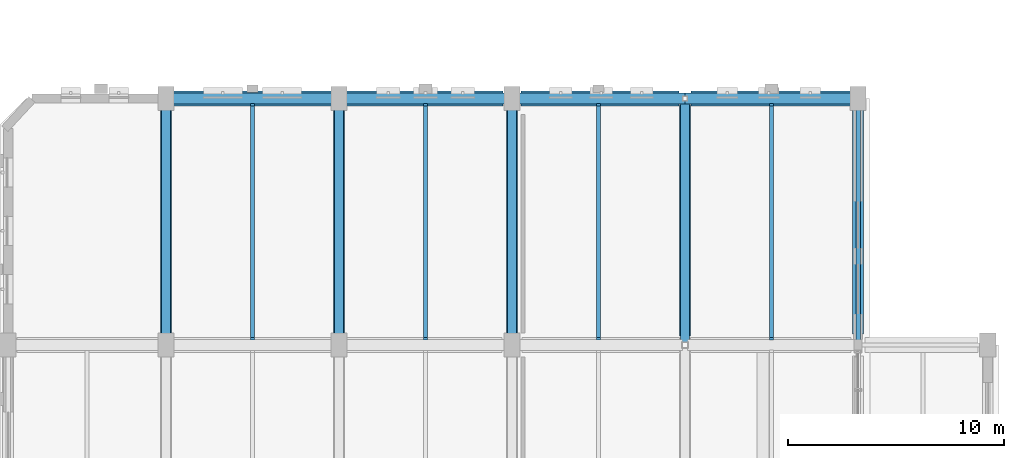
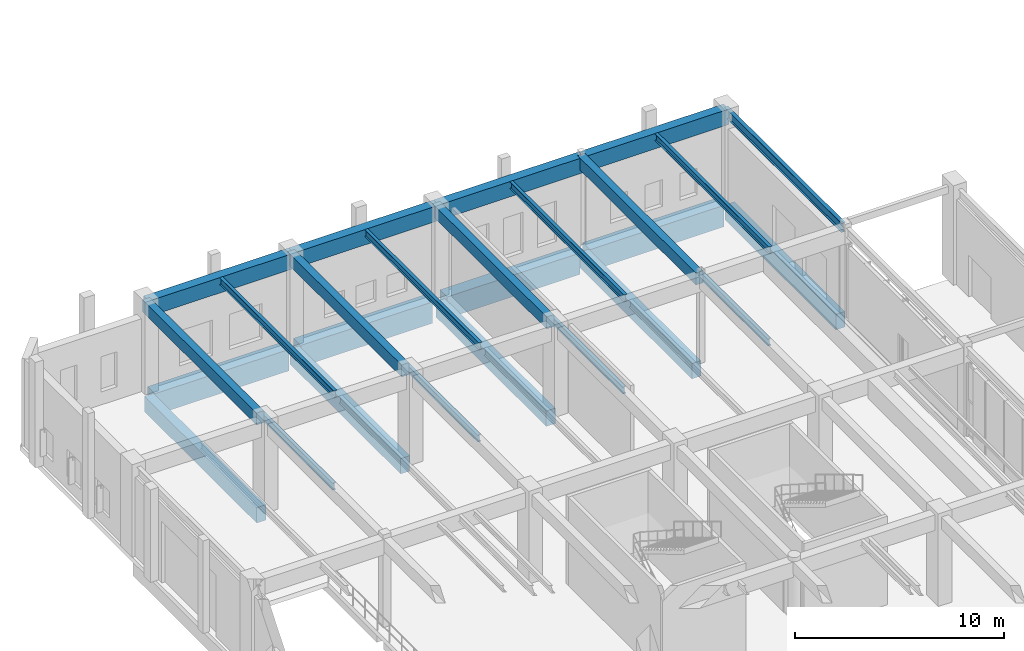
# One storey, part 53 of 113: 26 beams.
"""IFC4 building model written with IfcOpenShell, lengths in metres."""

from ifc_helpers import new_model, si_unit, direction, frame, origin, origin_2d, place, context, subcontext, project, spatial, rectangle, i_section, extrude, material, material_profile, profile_set, type_object, element, save


model = new_model("IFC4")

# Units and contexts
model_context = context("Model", 3, precision=1e-05, world=origin(), true_north=direction((0.0, 1.0)))
body_context = subcontext(model_context, "Body", "Model", "MODEL_VIEW")
ifc_project = project(units=[si_unit("LENGTHUNIT", "METRE"), si_unit("AREAUNIT", "SQUARE_METRE"), si_unit("VOLUMEUNIT", "CUBIC_METRE"), si_unit("PLANEANGLEUNIT", "RADIAN"), si_unit("MASSUNIT", "GRAM", prefix="KILO"), si_unit("POWERUNIT", "WATT"), si_unit("THERMODYNAMICTEMPERATUREUNIT", "KELVIN")], contexts=[model_context])

# Site, building, storey
site_placement = place(None, origin())
site = spatial("IfcSite", under=ifc_project, at=site_placement, CompositionType="ELEMENT")
building_placement = place(site_placement, origin())
building = spatial("IfcBuilding", under=site, at=building_placement, Name="Kelmbourne Parkland Aquatics Centre", CompositionType="ELEMENT")
storey_placement = place(building_placement, origin())
storey = spatial("IfcBuildingStorey", under=building, at=storey_placement, Name="L00", CompositionType="ELEMENT", Elevation=0.0)

# Beams
ifc_material_1 = material(Name="Concrete C40/50", Category="concrete")
ifc_material_profile_1 = material_profile(ifc_material_1, rectangle(XDim=0.5, YDim=0.89990234375, at=origin_2d()), Name="RC 500x900")
ifc_profile_set_1 = profile_set([ifc_material_profile_1], Name="Concrete C40/50")
beam_type_1 = type_object("IfcBeamType", Name="BM-G03", PredefinedType="BEAM", material=ifc_profile_set_1)
beam_1_placement = place(storey_placement, frame((8.0, 92.405029296875, -0.72998046875), z_axis=(0.0, 1.0, 0.0), x_axis=(-1.0, 0.0, 0.0)))
element("IfcBeam", 1, at=beam_1_placement, inside=storey, type_object=beam_type_1, Name="Primary girder 12-13 Grid B (L00)", PredefinedType="BEAM", context=body_context, shape_type="SweptSolid", body=[
    extrude(rectangle(XDim=0.5, YDim=0.89990234375, at=origin_2d()), origin(), (0.0, 0.0, 1.0), 10.715087890625),
])
beam_2_placement = place(storey_placement, frame((16.0, 92.5048828125, -0.72998046875), z_axis=(0.0, 1.0, 0.0), x_axis=(-1.0, 0.0, 0.0)))
element("IfcBeam", 2, at=beam_2_placement, inside=storey, type_object=beam_type_1, Name="Primary girder 12-13 Grid C (L00)", PredefinedType="BEAM", context=body_context, shape_type="SweptSolid", body=[
    extrude(rectangle(XDim=0.5, YDim=0.89990234375, at=origin_2d()), origin(), (0.0, 0.0, 1.0), 10.565185546875),
])
beam_3_placement = place(storey_placement, frame((24.0, 92.455078125, -0.72998046875), z_axis=(0.0, 1.0, 0.0), x_axis=(-1.0, 0.0, 0.0)))
element("IfcBeam", 3, at=beam_3_placement, inside=storey, type_object=beam_type_1, Name="Primary girder 12-13 Grid D (L00)", PredefinedType="BEAM", context=body_context, shape_type="SweptSolid", body=[
    extrude(rectangle(XDim=0.5, YDim=0.89990234375, at=origin_2d()), origin(), (0.0, 0.0, 1.0), 10.5400390625),
])
beam_4_placement = place(storey_placement, frame((32.0, 92.405029296875, -0.72998046875), z_axis=(0.0, 1.0, 0.0), x_axis=(-1.0, 0.0, 0.0)))
element("IfcBeam", 4, at=beam_4_placement, inside=storey, type_object=beam_type_1, Name="Primary girder 12-13 Grid E (L00)", PredefinedType="BEAM", context=body_context, shape_type="SweptSolid", body=[
    extrude(rectangle(XDim=0.5, YDim=0.89990234375, at=origin_2d()), origin(), (0.0, 0.0, 1.0), 10.715087890625),
])
beam_5_placement = place(storey_placement, frame((40.0, 92.5048828125, -0.72998046875), z_axis=(0.0, 1.0, 0.0), x_axis=(-1.0, 0.0, 0.0)))
element("IfcBeam", 5, at=beam_5_placement, inside=storey, type_object=beam_type_1, Name="Primary girder 12-13 Grid F (L00)", PredefinedType="BEAM", context=body_context, shape_type="SweptSolid", body=[
    extrude(rectangle(XDim=0.5, YDim=0.89990234375, at=origin_2d()), origin(), (0.0, 0.0, 1.0), 10.565185546875),
])
for number, where, z_axis, x_axis, name in (
    (6, (8.0, 103.39990234375, 4.7099609375), (1.0, 0.0, 0.0), (0.0, 1.0, 0.0), "Primary girder B-C Grid 13 (L01)"),
    (7, (16.0, 103.39990234375, 4.7099609375), (1.0, 0.0, 0.0), (0.0, 1.0, 0.0), "Primary girder C-D Grid 13 (L01)"),
    (8, (24.0, 103.39990234375, 4.7099609375), (1.0, 0.0, 0.0), (0.0, 1.0, 0.0), "Primary girder D-E Grid 13 (L01)"),
    (9, (32.0, 103.39990234375, 4.7099609375), (1.0, 0.0, 0.0), (0.0, 1.0, 0.0), "Primary girder E-F Grid 13 (L01)"),
):
    element("IfcBeam", number, at=place(storey_placement, frame(where, z_axis=z_axis, x_axis=x_axis)), inside=storey, type_object=beam_type_1, Name=name, PredefinedType="BEAM", context=body_context, shape_type="SweptSolid", body=[
        extrude(rectangle(XDim=0.5, YDim=0.89990234375, at=origin_2d()), origin(), (0.0, 0.0, 1.0), 8.0),
    ])
ifc_material_profile_2 = material_profile(ifc_material_1, rectangle(XDim=0.39990234375, YDim=0.699951171875, at=origin_2d()), Name="RC 400x700")
ifc_profile_set_2 = profile_set([ifc_material_profile_2], Name="Concrete C40/50")
beam_type_2 = type_object("IfcBeamType", Name="BM-G05", PredefinedType="BEAM", material=ifc_profile_set_2)
for number, where, z_axis, x_axis, name in (
    (10, (8.0, 92.5048828125, 4.81005859375), (0.0, 1.0, 0.0), (-1.0, 0.0, 0.0), "Primary girder 12-13 Grid B (L01)"),
    (11, (16.0, 92.5048828125, 4.81005859375), (0.0, 1.0, 0.0), (-1.0, 0.0, 0.0), "Primary girder 12-13 Grid C (L01)"),
    (12, (24.0, 92.5048828125, 4.81005859375), (0.0, 1.0, 0.0), (-1.0, 0.0, 0.0), "Primary girder 12-13 Grid D (L01)"),
):
    element("IfcBeam", number, at=place(storey_placement, frame(where, z_axis=z_axis, x_axis=x_axis)), inside=storey, type_object=beam_type_2, Name=name, PredefinedType="BEAM", context=body_context, shape_type="SweptSolid", body=[
        extrude(rectangle(XDim=0.39990234375, YDim=0.699951171875, at=origin_2d()), origin(), (0.0, 0.0, 1.0), 10.89501953125),
    ])
beam_6_placement = place(storey_placement, frame((32.0, 92.10498046875, 4.81005859375), z_axis=(0.0, 1.0, 0.0), x_axis=(-1.0, 0.0, 0.0)))
element("IfcBeam", 13, at=beam_6_placement, inside=storey, type_object=beam_type_2, Name="Primary girder 12-13 Grid E (L01)", PredefinedType="BEAM", context=body_context, shape_type="SweptSolid", body=[
    extrude(rectangle(XDim=0.39990234375, YDim=0.699951171875, at=origin_2d()), origin(), (0.0, 0.0, 1.0), 11.294921875),
])
ifc_material_2 = material(Name="Concrete C50/60", Category="concrete")
ifc_material_profile_3 = material_profile(ifc_material_2, rectangle(XDim=0.699951171875, YDim=1.25, at=origin_2d()), Name="RC 700x1250")
ifc_profile_set_3 = profile_set([ifc_material_profile_3], Name="Concrete C50/60")
beam_type_3 = type_object("IfcBeamType", Name="BM-G08", PredefinedType="BEAM", material=ifc_profile_set_3)
beam_7_placement = place(storey_placement, frame((8.280029296875, 103.39990234375, -0.905029296875), z_axis=(1.0, 0.0, 0.0), x_axis=(0.0, 1.0, 0.0)))
element("IfcBeam", 14, at=beam_7_placement, inside=storey, type_object=beam_type_3, Name="Primary girder B-C Grid 13 (L00)", PredefinedType="BEAM", context=body_context, shape_type="SweptSolid", body=[
    extrude(rectangle(XDim=0.699951171875, YDim=1.25, at=origin_2d()), origin(), (0.0, 0.0, 1.0), 7.389892578125),
])
beam_8_placement = place(storey_placement, frame((16.330078125, 103.39990234375, -0.905029296875), z_axis=(1.0, 0.0, 0.0), x_axis=(0.0, 1.0, 0.0)))
element("IfcBeam", 15, at=beam_8_placement, inside=storey, type_object=beam_type_3, Name="Primary girder C-D Grid 13 (L00)", PredefinedType="BEAM", context=body_context, shape_type="SweptSolid", body=[
    extrude(rectangle(XDim=0.699951171875, YDim=1.25, at=origin_2d()), origin(), (0.0, 0.0, 1.0), 7.264892578125),
])
beam_9_placement = place(storey_placement, frame((24.405029296875, 103.39990234375, -0.905029296875), z_axis=(1.0, 0.0, 0.0), x_axis=(0.0, 1.0, 0.0)))
element("IfcBeam", 16, at=beam_9_placement, inside=storey, type_object=beam_type_3, Name="Primary girder D-E Grid 13 (L00)", PredefinedType="BEAM", context=body_context, shape_type="SweptSolid", body=[
    extrude(rectangle(XDim=0.699951171875, YDim=1.25, at=origin_2d()), origin(), (0.0, 0.0, 1.0), 7.31494140625),
])
beam_10_placement = place(storey_placement, frame((32.280029296875, 103.39990234375, -0.905029296875), z_axis=(1.0, 0.0, 0.0), x_axis=(0.0, 1.0, 0.0)))
element("IfcBeam", 17, at=beam_10_placement, inside=storey, type_object=beam_type_3, Name="Primary girder E-F Grid 13 (L00)", PredefinedType="BEAM", context=body_context, shape_type="SweptSolid", body=[
    extrude(rectangle(XDim=0.699951171875, YDim=1.25, at=origin_2d()), origin(), (0.0, 0.0, 1.0), 7.389892578125),
])
ifc_material_3 = material(Name="Structural steel AS/NZS 3679.1 Grade 300", Category="steel")
ifc_material_profile_4 = material_profile(ifc_material_3, i_section(OverallWidth=0.177978515625, OverallDepth=0.406005859375, WebThickness=0.0078125, FlangeThickness=0.0126953125, at=origin_2d()), Name="410UB59.7")
ifc_profile_set_4 = profile_set([ifc_material_profile_4], Name="Structural steel AS/NZS 3679.1 Grade 300")
beam_type_4 = type_object("IfcBeamType", Name="BM-J01", PredefinedType="JOIST", material=ifc_profile_set_4)
for number, where, z_axis, x_axis, name in (
    (18, (12.0, 92.342041015625, -0.48291015625), (0.0, 1.0, 0.0), (-1.0, 0.0, 0.0), "Secondary floor joist B-C/12-13 #1 (L00)"),
    (19, (20.0, 92.342041015625, -0.48291015625), (0.0, 1.0, 0.0), (-1.0, 0.0, 0.0), "Secondary floor joist C-D/12-13 #1 (L00)"),
    (20, (28.0, 92.342041015625, -0.48291015625), (0.0, 1.0, 0.0), (-1.0, 0.0, 0.0), "Secondary floor joist D-E/12-13 #1 (L00)"),
    (21, (36.0, 92.342041015625, -0.48291015625), (0.0, 1.0, 0.0), (-1.0, 0.0, 0.0), "Secondary floor joist E-F/12-13 #1 (L00)"),
):
    element("IfcBeam", number, at=place(storey_placement, frame(where, z_axis=z_axis, x_axis=x_axis)), inside=storey, type_object=beam_type_4, Name=name, PredefinedType="JOIST", context=body_context, shape_type="SweptSolid", body=[
        extrude(i_section(OverallWidth=0.177978515625, OverallDepth=0.406005859375, WebThickness=0.0078125, FlangeThickness=0.0126953125, at=origin_2d()), origin(), (0.0, 0.0, 1.0), 10.716064453125),
    ])
for number, where, z_axis, x_axis, name in (
    (22, (12.0, 92.241943359375, 4.95703125), (0.0, 1.0, 0.0), (-1.0, 0.0, 0.0), "Secondary floor joist B-C/12-13 #1 (L01)"),
    (23, (20.0, 92.241943359375, 4.95703125), (0.0, 1.0, 0.0), (-1.0, 0.0, 0.0), "Secondary floor joist C-D/12-13 #1 (L01)"),
    (24, (28.0, 92.241943359375, 4.95703125), (0.0, 1.0, 0.0), (-1.0, 0.0, 0.0), "Secondary floor joist D-E/12-13 #1 (L01)"),
    (25, (36.0, 92.241943359375, 4.95703125), (0.0, 1.0, 0.0), (-1.0, 0.0, 0.0), "Secondary floor joist E-F/12-13 #1 (L01)"),
):
    element("IfcBeam", number, at=place(storey_placement, frame(where, z_axis=z_axis, x_axis=x_axis)), inside=storey, type_object=beam_type_4, Name=name, PredefinedType="JOIST", context=body_context, shape_type="SweptSolid", body=[
        extrude(i_section(OverallWidth=0.177978515625, OverallDepth=0.406005859375, WebThickness=0.0078125, FlangeThickness=0.0126953125, at=origin_2d()), origin(), (0.0, 0.0, 1.0), 10.916015625),
    ])
ifc_material_profile_5 = material_profile(ifc_material_3, i_section(OverallWidth=0.208984375, OverallDepth=0.532958984375, WebThickness=0.01025390625, FlangeThickness=0.015625, at=origin_2d()), Name="530UB92.4")
ifc_profile_set_5 = profile_set([ifc_material_profile_5], Name="Structural steel AS/NZS 3679.1 Grade 300")
beam_type_5 = type_object("IfcBeamType", Name="BM-SP02", PredefinedType="SPANDREL", material=ifc_profile_set_5)
beam_11_placement = place(storey_placement, frame((40.0, 92.205078125, 4.8935546875), z_axis=(0.0, 1.0, 0.0), x_axis=(-1.0, 0.0, 0.0)))
element("IfcBeam", 26, at=beam_11_placement, inside=storey, type_object=beam_type_5, Name="Perimeter spandrel 12-13 Grid F (L01)", PredefinedType="SPANDREL", context=body_context, shape_type="SweptSolid", body=[
    extrude(i_section(OverallWidth=0.208984375, OverallDepth=0.532958984375, WebThickness=0.01025390625, FlangeThickness=0.015625, at=origin_2d()), origin(), (0.0, 0.0, 1.0), 11.19482421875),
])

save(model, "model.ifc")
